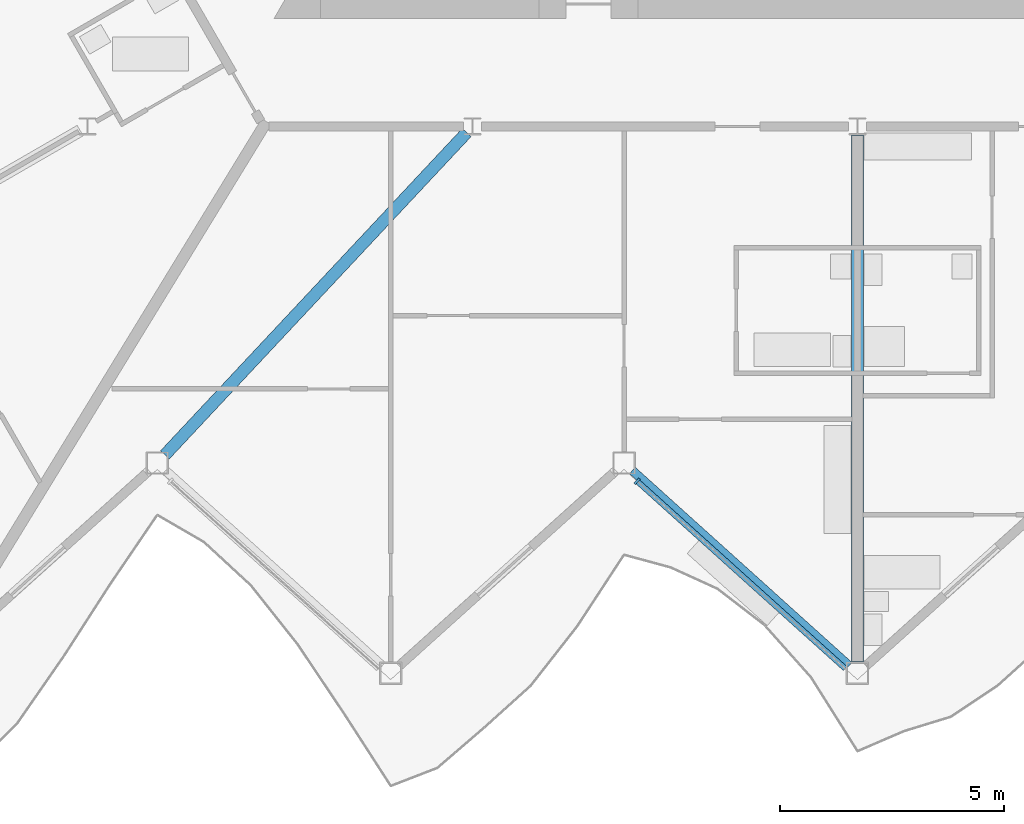
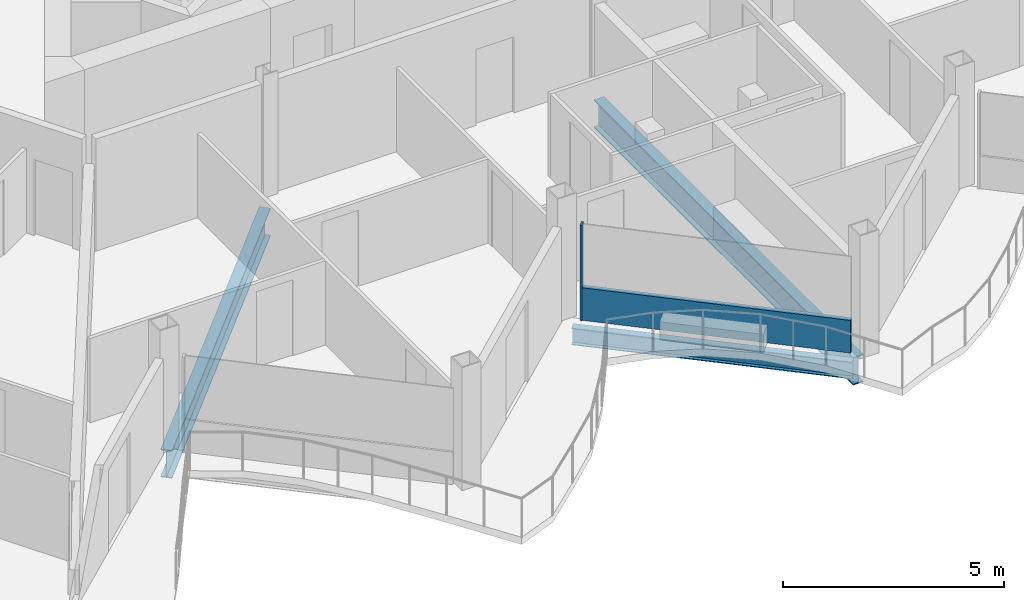
# One storey, part 5 of 26: 3 beams, 2 members, 1 element without a shape of its own.
"""IFC4 building model written with IfcOpenShell, lengths in metres."""

from ifc_helpers import new_model, si_unit, direction, frame, origin, origin_2d, place, context, subcontext, project, spatial, rectangle, i_section, extrude, material, layer, layer_set, material_profile, profile_set, type_object, element, aggregate, save


model = new_model("IFC4")

# Units and contexts
model_context = context("Model", 3, precision=1e-05, world=origin(), true_north=direction((0.0, 1.0)))
body_context = subcontext(model_context, "Body", "Model", "MODEL_VIEW")
ifc_project = project(units=[si_unit("LENGTHUNIT", "METRE"), si_unit("AREAUNIT", "SQUARE_METRE"), si_unit("VOLUMEUNIT", "CUBIC_METRE"), si_unit("PLANEANGLEUNIT", "RADIAN"), si_unit("MASSUNIT", "GRAM", prefix="KILO")], contexts=[model_context])

# Site, building, storey
site_placement = place(None, origin())
site = spatial("IfcSite", under=ifc_project, at=site_placement, CompositionType="ELEMENT")
building_placement = place(site_placement, origin())
building = spatial("IfcBuilding", under=site, at=building_placement, Name="Cormorant Prow Tower", CompositionType="ELEMENT")
storey_placement = place(building_placement, frame((0.0, 0.0, 401.800048828125)))
storey = spatial("IfcBuildingStorey", under=building, at=storey_placement, Name="L92", CompositionType="ELEMENT", Elevation=401.800048828125)

# Beams
ifc_material_1 = material(Name="Structural steel ASTM A992 Gr 50", Category="steel")
ifc_material_profile_1 = material_profile(ifc_material_1, i_section(OverallWidth=0.267822265625, OverallDepth=0.77001953125, WebThickness=0.015625, FlangeThickness=0.025390625, at=origin_2d()), Name="W30x132")
ifc_profile_set_1 = profile_set([ifc_material_profile_1], Name="Structural steel ASTM A992 Gr 50")
beam_type_1 = type_object("IfcBeamType", Name="Radial floor beam W30x132", PredefinedType="BEAM", material=ifc_profile_set_1)
beam_1_placement = place(storey_placement, frame((-8.706298828125, -10.0419921875, -0.68505859375), z_axis=(-0.683430760659, -0.730015339144, 0.0), x_axis=(0.730015339144, -0.683430760659, 0.0)))
element("IfcBeam", 1, at=beam_1_placement, inside=storey, type_object=beam_type_1, Name="Radial floor beam FB3 6 L92", PredefinedType="BEAM", context=body_context, shape_type="SweptSolid", body=[
    extrude(i_section(OverallWidth=0.267822265625, OverallDepth=0.77001953125, WebThickness=0.015625, FlangeThickness=0.025390625, at=origin_2d()), origin(), (0.0, 0.0, 1.0), 9.8369140625),
])
beam_2_placement = place(storey_placement, frame((0.0, -10.092529296875, -0.68505859375), z_axis=(0.0, -1.0, 0.0), x_axis=(1.0, 0.0, 0.0)))
element("IfcBeam", 2, at=beam_2_placement, inside=storey, type_object=beam_type_1, Name="Radial floor beam FB3 7 L92", PredefinedType="BEAM", context=body_context, shape_type="SweptSolid", body=[
    extrude(i_section(OverallWidth=0.267822265625, OverallDepth=0.77001953125, WebThickness=0.015625, FlangeThickness=0.025390625, at=origin_2d()), origin(), (0.0, 0.0, 1.0), 11.745361328125),
])

# Curtain wall, members
ifc_material_2 = material(Name="Aluminium 6063-T6", Category="aluminium")
ifc_layer = layer(ifc_material_2, 0.159912109375)
ifc_layer_set = layer_set([ifc_layer], Name="Aluminium 6063-T6")
curtain_wall_type = type_object("IfcCurtainWallType", Name="Residential unitised curtain wall 160", PredefinedType="NOTDEFINED", material=ifc_layer_set)
curtain_wall_placement = place(storey_placement, origin())
curtain_wall = element("IfcCurtainWall", 3, at=curtain_wall_placement, inside=storey, type_object=curtain_wall_type, Name="Residential curtain wall S04", PredefinedType="NOTDEFINED")
ifc_material_3 = material(Name="Aluminium 6063-T6", Category="aluminium")
ifc_material_profile_2 = material_profile(ifc_material_3, rectangle(XDim=0.159912109375, YDim=0.050048828125, at=origin_2d()), Name="Residential mullion 50x160")
ifc_profile_set_2 = profile_set([ifc_material_profile_2], Name="Aluminium 6063-T6")
member_type_1 = type_object("IfcMemberType", Name="Residential mullion 50x160", PredefinedType="MULLION", material=ifc_profile_set_2)
member_1_placement = place(storey_placement, frame((-4.909423828125, -17.810546875, 0.0), z_axis=(0.0, 0.0, 1.0), x_axis=(0.669130603959, 0.743144827638, 0.0)))
member_1 = element("IfcMember", 4, at=member_1_placement, type_object=member_type_1, Name="Residential mullion S04", PredefinedType="MULLION", context=body_context, shape_type="SweptSolid", body=[
    extrude(rectangle(XDim=0.159912109375, YDim=0.050048828125, at=origin_2d()), origin(), (0.0, 0.0, 1.0), 2.6337890625),
])
ifc_material_4 = material(Name="Terracotta", Category="masonry")
ifc_material_profile_3 = material_profile(ifc_material_4, rectangle(XDim=0.1201171875, YDim=0.89990234375, at=origin_2d()), Name="Residential terracotta spandrel rail 120x900")
ifc_profile_set_3 = profile_set([ifc_material_profile_3], Name="Terracotta")
member_type_2 = type_object("IfcMemberType", Name="Residential terracotta spandrel rail 120x900", PredefinedType="USERDEFINED", material=ifc_profile_set_3)
member_2_placement = place(storey_placement, frame((-4.890869140625, -17.8271484375, 0.449951171875), z_axis=(0.743139827378, -0.669136157269, 0.0), x_axis=(0.669136157269, 0.743139827378, 0.0)))
member_2 = element("IfcMember", 5, at=member_2_placement, type_object=member_type_2, Name="Residential spandrel rail S04", ObjectType="TRANSOM", PredefinedType="USERDEFINED", context=body_context, shape_type="SweptSolid", body=[
    extrude(rectangle(XDim=0.1201171875, YDim=0.89990234375, at=origin_2d()), origin(), (0.0, 0.0, 1.0), 6.21533203125),
])
aggregate(curtain_wall, [member_1, member_2])

# Beam
ifc_material_5 = material(Name="Structural steel ASTM A992 Gr 50", Category="steel")
ifc_material_profile_4 = material_profile(ifc_material_5, i_section(OverallWidth=0.19287109375, OverallDepth=0.466064453125, WebThickness=0.011474609375, FlangeThickness=0.01904296875, at=origin_2d()), Name="W18x65")
ifc_profile_set_4 = profile_set([ifc_material_profile_4], Name="Structural steel ASTM A992 Gr 50")
beam_type_2 = type_object("IfcBeamType", Name="Spandrel beam W18x65", PredefinedType="SPANDREL", material=ifc_profile_set_4)
beam_3_placement = place(storey_placement, frame((-5.01416015625, -17.572998046875, -0.533203125), z_axis=(0.743131573737, -0.669145323614, 0.0), x_axis=(0.669145323614, 0.743131573737, 0.0)))
element("IfcBeam", 6, at=beam_3_placement, inside=storey, type_object=beam_type_2, Name="Spandrel beam SB4 S04-S05 L92", PredefinedType="SPANDREL", context=body_context, shape_type="SweptSolid", body=[
    extrude(i_section(OverallWidth=0.19287109375, OverallDepth=0.466064453125, WebThickness=0.011474609375, FlangeThickness=0.01904296875, at=origin_2d()), origin(), (0.0, 0.0, 1.0), 6.497314453125),
])

save(model, "model.ifc")
